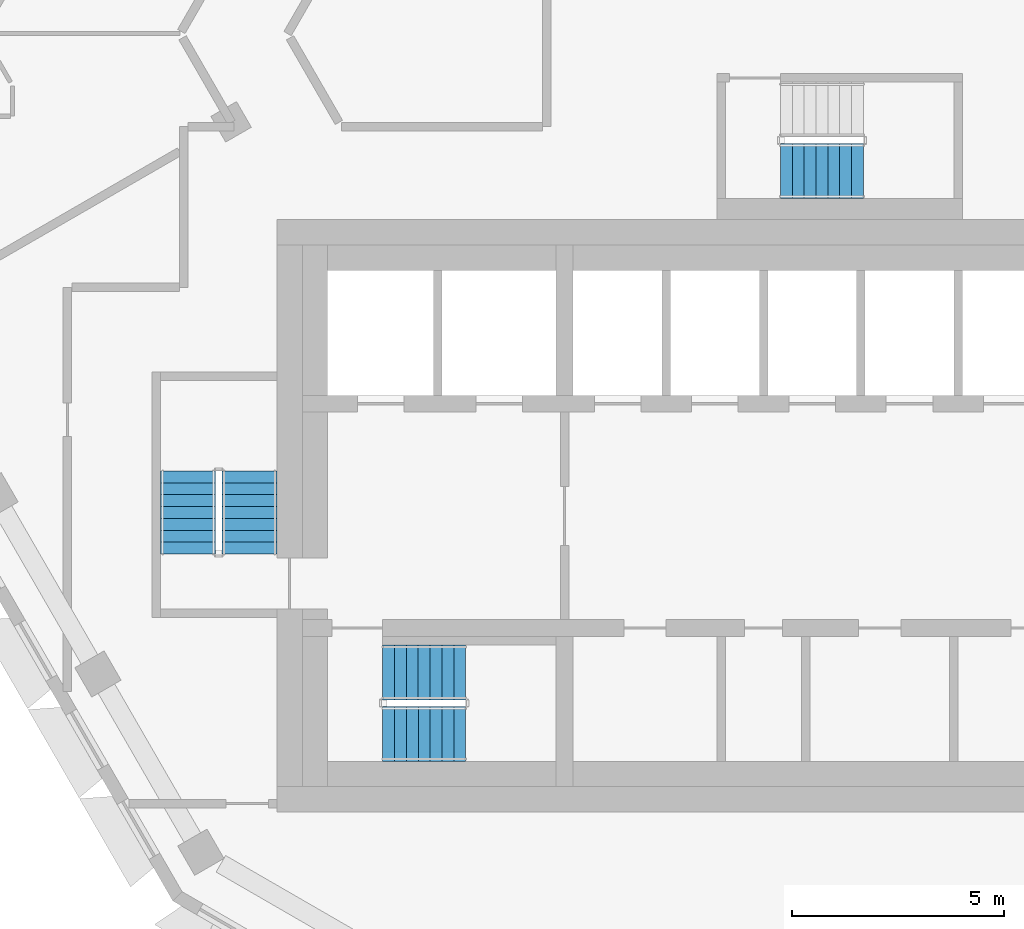
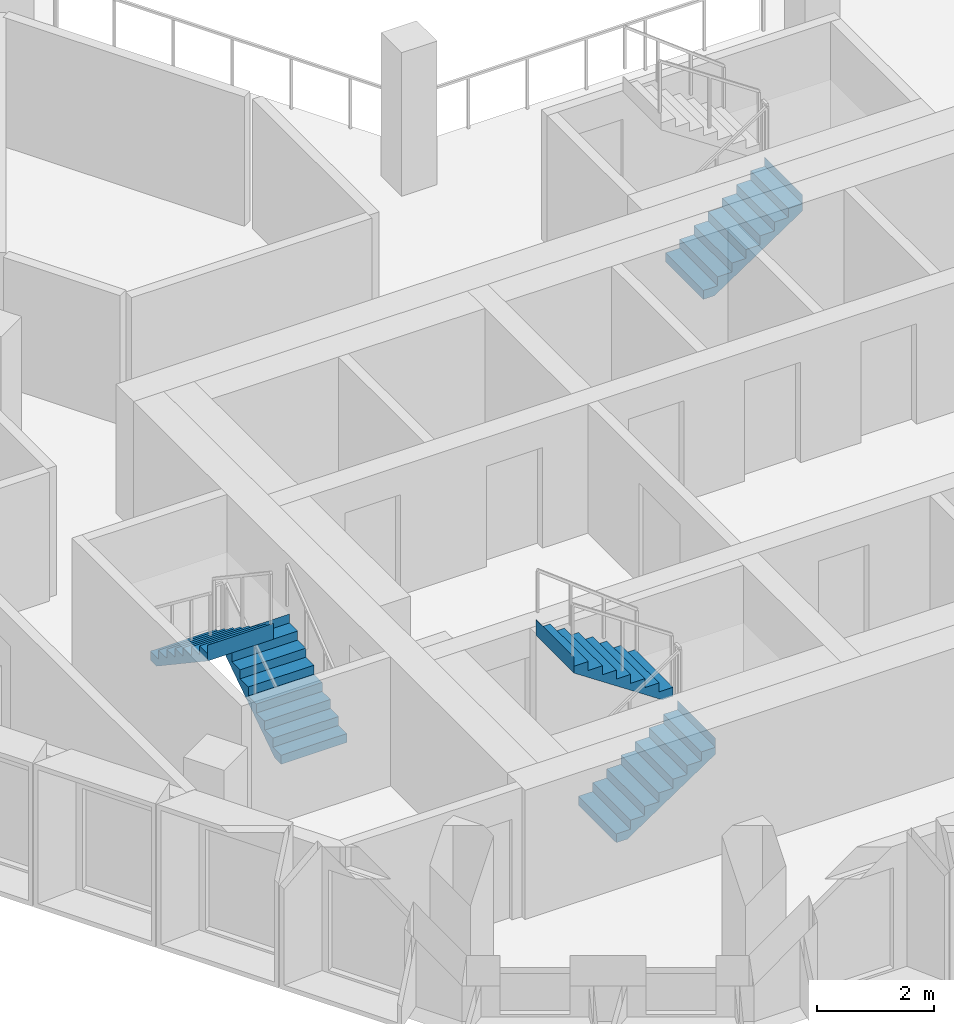
# One storey, part 12 of 18: 5 stair flights, 3 elements without a shape of their own.
"""IFC4 building model written with IfcOpenShell, lengths in metres."""

from ifc_helpers import new_model, si_unit, direction, frame, origin, place, context, subcontext, project, spatial, triangles, material, type_object, element, aggregate, save


model = new_model("IFC4")

# Units and contexts
model_context = context("Model", 3, precision=1e-05, world=origin(), true_north=direction((0.0, 1.0)))
body_context = subcontext(model_context, "Body", "Model", "MODEL_VIEW")
ifc_project = project(units=[si_unit("LENGTHUNIT", "METRE"), si_unit("AREAUNIT", "SQUARE_METRE"), si_unit("VOLUMEUNIT", "CUBIC_METRE"), si_unit("PLANEANGLEUNIT", "RADIAN"), si_unit("MASSUNIT", "GRAM", prefix="KILO")], contexts=[model_context])

# Site, building, storey
site_placement = place(None, origin())
site = spatial("IfcSite", under=ifc_project, at=site_placement, CompositionType="ELEMENT")
building_placement = place(site_placement, origin())
building = spatial("IfcBuilding", under=site, at=building_placement, Name="Beryl Residences", CompositionType="ELEMENT")
storey_placement = place(building_placement, frame((0.0, 0.0, 190.199951171875)))
storey = spatial("IfcBuildingStorey", under=building, at=storey_placement, Name="L58", CompositionType="ELEMENT", Elevation=190.199951171875)

# Stair, stair flights
ifc_material_1 = material(Name="Concrete C40/50", Category="concrete")
stair_type = type_object("IfcStairType", Name="ST1 protected exit stair, half-turn, 1300 mm flights", PredefinedType="HALF_TURN_STAIR", material=ifc_material_1)
stair_1_placement = place(storey_placement, origin())
stair_1 = element("IfcStair", 1, at=stair_1_placement, inside=storey, type_object=stair_type, Name="L58 PROTECTED EXIT STAIR ST-1", PredefinedType="HALF_TURN_STAIR")
ifc_material_2 = material(Name="Concrete C40/50", Category="concrete")
stair_flight_type = type_object("IfcStairFlightType", Name="SF1 stair flight 1300 mm", PredefinedType="STRAIGHT", material=ifc_material_2)
stair_flight_1_placement = place(storey_placement, frame((-10.800048828125, -17.14990234375, 0.0), z_axis=(0.0, 0.0, 1.0), x_axis=(1.0, 0.0, 0.0)))
stair_flight_1 = element("IfcStairFlight", 2, at=stair_flight_1_placement, type_object=stair_flight_type, Name="ST-1 flight 1", NumberOfRisers=8, NumberOfTreads=7, PredefinedType="STRAIGHT", RiserHeight=0.1875, TreadLength=0.28, context=body_context, shape_type="Tessellation", body=[
    triangles([(0.0, -0.64990234375, 0.0), (0.0, -0.324951171875, 0.0), (0.0, 0.0, 0.0), (0.0, 0.324951171875, 0.0), (0.0, 0.64990234375, 0.0), (0.0, -0.64990234375, 0.1875), (0.0, -0.324951171875, 0.1875), (0.0, 0.0, 0.1875), (0.0, 0.324951171875, 0.1875), (0.0, 0.64990234375, 0.1875), (0.280029296875, -0.64990234375, 0.1875), (0.280029296875, -0.324951171875, 0.1875), (0.280029296875, 0.0, 0.1875), (0.280029296875, 0.324951171875, 0.1875), (0.280029296875, 0.64990234375, 0.1875), (0.280029296875, -0.64990234375, 0.375), (0.280029296875, -0.324951171875, 0.375), (0.280029296875, 0.0, 0.375), (0.280029296875, 0.324951171875, 0.375), (0.280029296875, 0.64990234375, 0.375), (0.56005859375, -0.64990234375, 0.375), (0.56005859375, -0.324951171875, 0.375), (0.56005859375, 0.0, 0.375), (0.56005859375, 0.324951171875, 0.375), (0.56005859375, 0.64990234375, 0.375), (0.56005859375, -0.64990234375, 0.5625), (0.56005859375, -0.324951171875, 0.5625), (0.56005859375, 0.0, 0.5625), (0.56005859375, 0.324951171875, 0.5625), (0.56005859375, 0.64990234375, 0.5625), (0.840087890625, -0.64990234375, 0.5625), (0.840087890625, -0.324951171875, 0.5625), (0.840087890625, 0.0, 0.5625), (0.840087890625, 0.324951171875, 0.5625), (0.840087890625, 0.64990234375, 0.5625), (0.840087890625, -0.64990234375, 0.75), (0.840087890625, -0.324951171875, 0.75), (0.840087890625, 0.0, 0.75), (0.840087890625, 0.324951171875, 0.75), (0.840087890625, 0.64990234375, 0.75), (1.1201171875, -0.64990234375, 0.75), (1.1201171875, -0.324951171875, 0.75), (1.1201171875, 0.0, 0.75), (1.1201171875, 0.324951171875, 0.75), (1.1201171875, 0.64990234375, 0.75), (1.1201171875, -0.64990234375, 0.9375), (1.1201171875, -0.324951171875, 0.9375), (1.1201171875, 0.0, 0.9375), (1.1201171875, 0.324951171875, 0.9375), (1.1201171875, 0.64990234375, 0.9375), (1.39990234375, -0.64990234375, 0.9375), (1.39990234375, -0.324951171875, 0.9375), (1.39990234375, 0.0, 0.9375), (1.39990234375, 0.324951171875, 0.9375), (1.39990234375, 0.64990234375, 0.9375), (1.39990234375, -0.64990234375, 1.125), (1.39990234375, -0.324951171875, 1.125), (1.39990234375, 0.0, 1.125), (1.39990234375, 0.324951171875, 1.125), (1.39990234375, 0.64990234375, 1.125), (1.679931640625, -0.64990234375, 1.125), (1.679931640625, -0.324951171875, 1.125), (1.679931640625, 0.0, 1.125), (1.679931640625, 0.324951171875, 1.125), (1.679931640625, 0.64990234375, 1.125), (1.679931640625, -0.64990234375, 1.3125), (1.679931640625, -0.324951171875, 1.3125), (1.679931640625, 0.0, 1.3125), (1.679931640625, 0.324951171875, 1.3125), (1.679931640625, 0.64990234375, 1.3125), (1.9599609375, -0.64990234375, 1.3125), (1.9599609375, -0.324951171875, 1.3125), (1.9599609375, 0.0, 1.3125), (1.9599609375, 0.324951171875, 1.3125), (1.9599609375, 0.64990234375, 1.3125), (1.9599609375, -0.64990234375, 1.5), (1.9599609375, -0.324951171875, 1.5), (1.9599609375, 0.0, 1.5), (1.9599609375, 0.324951171875, 1.5), (1.9599609375, 0.64990234375, 1.5), (1.9609375, -0.64990234375, 1.5), (1.9609375, -0.324951171875, 1.5), (1.9609375, 0.0, 1.5), (1.9609375, 0.324951171875, 1.5), (1.9609375, 0.64990234375, 1.5), (1.9609375, -0.64990234375, 1.16796875), (1.9609375, -0.324951171875, 1.16796875), (1.9609375, 0.0, 1.16796875), (1.9609375, 0.324951171875, 1.16796875), (1.9609375, 0.64990234375, 1.16796875), (0.216796875, -0.64990234375, 0.0), (0.216796875, -0.324951171875, 0.0), (0.216796875, 0.0, 0.0), (0.216796875, 0.324951171875, 0.0), (0.216796875, 0.64990234375, 0.0)], [[1, 6, 7], [1, 7, 2], [2, 7, 8], [2, 8, 3], [3, 8, 9], [3, 9, 4], [4, 9, 10], [4, 10, 5], [6, 11, 12], [6, 12, 7], [7, 12, 13], [7, 13, 8], [8, 13, 14], [8, 14, 9], [9, 14, 15], [9, 15, 10], [11, 16, 17], [11, 17, 12], [12, 17, 18], [12, 18, 13], [13, 18, 19], [13, 19, 14], [14, 19, 20], [14, 20, 15], [16, 21, 22], [16, 22, 17], [17, 22, 23], [17, 23, 18], [18, 23, 24], [18, 24, 19], [19, 24, 25], [19, 25, 20], [21, 26, 27], [21, 27, 22], [22, 27, 28], [22, 28, 23], [23, 28, 29], [23, 29, 24], [24, 29, 30], [24, 30, 25], [26, 31, 32], [26, 32, 27], [27, 32, 33], [27, 33, 28], [28, 33, 34], [28, 34, 29], [29, 34, 35], [29, 35, 30], [31, 36, 37], [31, 37, 32], [32, 37, 38], [32, 38, 33], [33, 38, 39], [33, 39, 34], [34, 39, 40], [34, 40, 35], [36, 41, 42], [36, 42, 37], [37, 42, 43], [37, 43, 38], [38, 43, 44], [38, 44, 39], [39, 44, 45], [39, 45, 40], [41, 46, 47], [41, 47, 42], [42, 47, 48], [42, 48, 43], [43, 48, 49], [43, 49, 44], [44, 49, 50], [44, 50, 45], [46, 51, 52], [46, 52, 47], [47, 52, 53], [47, 53, 48], [48, 53, 54], [48, 54, 49], [49, 54, 55], [49, 55, 50], [51, 56, 57], [51, 57, 52], [52, 57, 58], [52, 58, 53], [53, 58, 59], [53, 59, 54], [54, 59, 60], [54, 60, 55], [56, 61, 62], [56, 62, 57], [57, 62, 63], [57, 63, 58], [58, 63, 64], [58, 64, 59], [59, 64, 65], [59, 65, 60], [61, 66, 67], [61, 67, 62], [62, 67, 68], [62, 68, 63], [63, 68, 69], [63, 69, 64], [64, 69, 70], [64, 70, 65], [66, 71, 72], [66, 72, 67], [67, 72, 73], [67, 73, 68], [68, 73, 74], [68, 74, 69], [69, 74, 75], [69, 75, 70], [71, 76, 77], [71, 77, 72], [72, 77, 78], [72, 78, 73], [73, 78, 79], [73, 79, 74], [74, 79, 80], [74, 80, 75], [76, 81, 82], [76, 82, 77], [77, 82, 83], [77, 83, 78], [78, 83, 84], [78, 84, 79], [79, 84, 85], [79, 85, 80], [81, 86, 87], [81, 87, 82], [82, 87, 88], [82, 88, 83], [83, 88, 89], [83, 89, 84], [84, 89, 90], [84, 90, 85], [86, 91, 92], [86, 92, 87], [87, 92, 93], [87, 93, 88], [88, 93, 94], [88, 94, 89], [89, 94, 95], [89, 95, 90], [91, 1, 2], [91, 2, 92], [92, 2, 3], [92, 3, 93], [93, 3, 4], [93, 4, 94], [94, 4, 5], [94, 5, 95], [1, 91, 86], [5, 90, 95], [86, 81, 76], [90, 80, 85], [86, 76, 71], [90, 75, 80], [86, 71, 66], [90, 70, 75], [86, 66, 61], [90, 65, 70], [61, 56, 51], [65, 55, 60], [86, 61, 51], [90, 55, 65], [51, 46, 41], [55, 45, 50], [86, 51, 41], [90, 45, 55], [41, 36, 31], [45, 35, 40], [86, 41, 31], [90, 35, 45], [31, 26, 21], [35, 25, 30], [86, 31, 21], [90, 25, 35], [21, 16, 11], [25, 15, 20], [86, 21, 11], [90, 15, 25], [1, 86, 11], [5, 15, 90], [11, 6, 1], [15, 5, 10]], closed=True),
])
stair_flight_2_placement = place(storey_placement, frame((-8.840087890625, -15.699951171875, 1.5), z_axis=(0.0, 0.0, 1.0), x_axis=(-1.0, 0.0, 0.0)))
stair_flight_2 = element("IfcStairFlight", 3, at=stair_flight_2_placement, type_object=stair_flight_type, Name="ST-1 flight 2", NumberOfRisers=8, NumberOfTreads=7, PredefinedType="STRAIGHT", RiserHeight=0.1875, TreadLength=0.28, context=body_context, shape_type="Tessellation", body=[
    triangles([(0.0, -0.64990234375, 0.0), (0.0, -0.324951171875, 0.0), (0.0, 0.0, 0.0), (0.0, 0.324951171875, 0.0), (0.0, 0.64990234375, 0.0), (0.0, -0.64990234375, 0.1875), (0.0, -0.324951171875, 0.1875), (0.0, 0.0, 0.1875), (0.0, 0.324951171875, 0.1875), (0.0, 0.64990234375, 0.1875), (0.280029296875, -0.64990234375, 0.1875), (0.280029296875, -0.324951171875, 0.1875), (0.280029296875, 0.0, 0.1875), (0.280029296875, 0.324951171875, 0.1875), (0.280029296875, 0.64990234375, 0.1875), (0.280029296875, -0.64990234375, 0.375), (0.280029296875, -0.324951171875, 0.375), (0.280029296875, 0.0, 0.375), (0.280029296875, 0.324951171875, 0.375), (0.280029296875, 0.64990234375, 0.375), (0.56005859375, -0.64990234375, 0.375), (0.56005859375, -0.324951171875, 0.375), (0.56005859375, 0.0, 0.375), (0.56005859375, 0.324951171875, 0.375), (0.56005859375, 0.64990234375, 0.375), (0.56005859375, -0.64990234375, 0.5625), (0.56005859375, -0.324951171875, 0.5625), (0.56005859375, 0.0, 0.5625), (0.56005859375, 0.324951171875, 0.5625), (0.56005859375, 0.64990234375, 0.5625), (0.840087890625, -0.64990234375, 0.5625), (0.840087890625, -0.324951171875, 0.5625), (0.840087890625, 0.0, 0.5625), (0.840087890625, 0.324951171875, 0.5625), (0.840087890625, 0.64990234375, 0.5625), (0.840087890625, -0.64990234375, 0.75), (0.840087890625, -0.324951171875, 0.75), (0.840087890625, 0.0, 0.75), (0.840087890625, 0.324951171875, 0.75), (0.840087890625, 0.64990234375, 0.75), (1.1201171875, -0.64990234375, 0.75), (1.1201171875, -0.324951171875, 0.75), (1.1201171875, 0.0, 0.75), (1.1201171875, 0.324951171875, 0.75), (1.1201171875, 0.64990234375, 0.75), (1.1201171875, -0.64990234375, 0.9375), (1.1201171875, -0.324951171875, 0.9375), (1.1201171875, 0.0, 0.9375), (1.1201171875, 0.324951171875, 0.9375), (1.1201171875, 0.64990234375, 0.9375), (1.39990234375, -0.64990234375, 0.9375), (1.39990234375, -0.324951171875, 0.9375), (1.39990234375, 0.0, 0.9375), (1.39990234375, 0.324951171875, 0.9375), (1.39990234375, 0.64990234375, 0.9375), (1.39990234375, -0.64990234375, 1.125), (1.39990234375, -0.324951171875, 1.125), (1.39990234375, 0.0, 1.125), (1.39990234375, 0.324951171875, 1.125), (1.39990234375, 0.64990234375, 1.125), (1.679931640625, -0.64990234375, 1.125), (1.679931640625, -0.324951171875, 1.125), (1.679931640625, 0.0, 1.125), (1.679931640625, 0.324951171875, 1.125), (1.679931640625, 0.64990234375, 1.125), (1.679931640625, -0.64990234375, 1.3125), (1.679931640625, -0.324951171875, 1.3125), (1.679931640625, 0.0, 1.3125), (1.679931640625, 0.324951171875, 1.3125), (1.679931640625, 0.64990234375, 1.3125), (1.9599609375, -0.64990234375, 1.3125), (1.9599609375, -0.324951171875, 1.3125), (1.9599609375, 0.0, 1.3125), (1.9599609375, 0.324951171875, 1.3125), (1.9599609375, 0.64990234375, 1.3125), (1.9599609375, -0.64990234375, 1.5), (1.9599609375, -0.324951171875, 1.5), (1.9599609375, 0.0, 1.5), (1.9599609375, 0.324951171875, 1.5), (1.9599609375, 0.64990234375, 1.5), (1.9609375, -0.64990234375, 1.5), (1.9609375, -0.324951171875, 1.5), (1.9609375, 0.0, 1.5), (1.9609375, 0.324951171875, 1.5), (1.9609375, 0.64990234375, 1.5), (1.9609375, -0.64990234375, 1.16796875), (1.9609375, -0.324951171875, 1.16796875), (1.9609375, 0.0, 1.16796875), (1.9609375, 0.324951171875, 1.16796875), (1.9609375, 0.64990234375, 1.16796875), (0.216796875, -0.64990234375, 0.0), (0.216796875, -0.324951171875, 0.0), (0.216796875, 0.0, 0.0), (0.216796875, 0.324951171875, 0.0), (0.216796875, 0.64990234375, 0.0)], [[1, 6, 7], [1, 7, 2], [2, 7, 8], [2, 8, 3], [3, 8, 9], [3, 9, 4], [4, 9, 10], [4, 10, 5], [6, 11, 12], [6, 12, 7], [7, 12, 13], [7, 13, 8], [8, 13, 14], [8, 14, 9], [9, 14, 15], [9, 15, 10], [11, 16, 17], [11, 17, 12], [12, 17, 18], [12, 18, 13], [13, 18, 19], [13, 19, 14], [14, 19, 20], [14, 20, 15], [16, 21, 22], [16, 22, 17], [17, 22, 23], [17, 23, 18], [18, 23, 24], [18, 24, 19], [19, 24, 25], [19, 25, 20], [21, 26, 27], [21, 27, 22], [22, 27, 28], [22, 28, 23], [23, 28, 29], [23, 29, 24], [24, 29, 30], [24, 30, 25], [26, 31, 32], [26, 32, 27], [27, 32, 33], [27, 33, 28], [28, 33, 34], [28, 34, 29], [29, 34, 35], [29, 35, 30], [31, 36, 37], [31, 37, 32], [32, 37, 38], [32, 38, 33], [33, 38, 39], [33, 39, 34], [34, 39, 40], [34, 40, 35], [36, 41, 42], [36, 42, 37], [37, 42, 43], [37, 43, 38], [38, 43, 44], [38, 44, 39], [39, 44, 45], [39, 45, 40], [41, 46, 47], [41, 47, 42], [42, 47, 48], [42, 48, 43], [43, 48, 49], [43, 49, 44], [44, 49, 50], [44, 50, 45], [46, 51, 52], [46, 52, 47], [47, 52, 53], [47, 53, 48], [48, 53, 54], [48, 54, 49], [49, 54, 55], [49, 55, 50], [51, 56, 57], [51, 57, 52], [52, 57, 58], [52, 58, 53], [53, 58, 59], [53, 59, 54], [54, 59, 60], [54, 60, 55], [56, 61, 62], [56, 62, 57], [57, 62, 63], [57, 63, 58], [58, 63, 64], [58, 64, 59], [59, 64, 65], [59, 65, 60], [61, 66, 67], [61, 67, 62], [62, 67, 68], [62, 68, 63], [63, 68, 69], [63, 69, 64], [64, 69, 70], [64, 70, 65], [66, 71, 72], [66, 72, 67], [67, 72, 73], [67, 73, 68], [68, 73, 74], [68, 74, 69], [69, 74, 75], [69, 75, 70], [71, 76, 77], [71, 77, 72], [72, 77, 78], [72, 78, 73], [73, 78, 79], [73, 79, 74], [74, 79, 80], [74, 80, 75], [76, 81, 82], [76, 82, 77], [77, 82, 83], [77, 83, 78], [78, 83, 84], [78, 84, 79], [79, 84, 85], [79, 85, 80], [81, 86, 87], [81, 87, 82], [82, 87, 88], [82, 88, 83], [83, 88, 89], [83, 89, 84], [84, 89, 90], [84, 90, 85], [86, 91, 92], [86, 92, 87], [87, 92, 93], [87, 93, 88], [88, 93, 94], [88, 94, 89], [89, 94, 95], [89, 95, 90], [91, 1, 2], [91, 2, 92], [92, 2, 3], [92, 3, 93], [93, 3, 4], [93, 4, 94], [94, 4, 5], [94, 5, 95], [1, 91, 86], [5, 90, 95], [86, 81, 76], [90, 80, 85], [86, 76, 71], [90, 75, 80], [86, 71, 66], [90, 70, 75], [86, 66, 61], [90, 65, 70], [61, 56, 51], [65, 55, 60], [86, 61, 51], [90, 55, 65], [51, 46, 41], [55, 45, 50], [86, 51, 41], [90, 45, 55], [41, 36, 31], [45, 35, 40], [86, 41, 31], [90, 35, 45], [31, 26, 21], [35, 25, 30], [86, 31, 21], [90, 25, 35], [21, 16, 11], [25, 15, 20], [86, 21, 11], [90, 15, 25], [1, 86, 11], [5, 15, 90], [11, 6, 1], [15, 5, 10]], closed=True),
])
aggregate(stair_1, [stair_flight_1, stair_flight_2])

stair_2_placement = place(storey_placement, origin())
stair_2 = element("IfcStair", 4, at=stair_2_placement, inside=storey, type_object=stair_type, Name="L58 PROTECTED EXIT STAIR ST-2", PredefinedType="HALF_TURN_STAIR")
stair_flight_3_placement = place(storey_placement, frame((-13.949951171875, -12.89990234375, 0.0), z_axis=(0.0, 0.0, 1.0), x_axis=(0.0, 1.0, 0.0)))
stair_flight_3 = element("IfcStairFlight", 5, at=stair_flight_3_placement, type_object=stair_flight_type, Name="ST-2 flight 1", NumberOfRisers=8, NumberOfTreads=7, PredefinedType="STRAIGHT", RiserHeight=0.1875, TreadLength=0.28, context=body_context, shape_type="Tessellation", body=[
    triangles([(0.0, -0.64990234375, 0.0), (0.0, -0.324951171875, 0.0), (0.0, 0.0, 0.0), (0.0, 0.324951171875, 0.0), (0.0, 0.64990234375, 0.0), (0.0, -0.64990234375, 0.1875), (0.0, -0.324951171875, 0.1875), (0.0, 0.0, 0.1875), (0.0, 0.324951171875, 0.1875), (0.0, 0.64990234375, 0.1875), (0.280029296875, -0.64990234375, 0.1875), (0.280029296875, -0.324951171875, 0.1875), (0.280029296875, 0.0, 0.1875), (0.280029296875, 0.324951171875, 0.1875), (0.280029296875, 0.64990234375, 0.1875), (0.280029296875, -0.64990234375, 0.375), (0.280029296875, -0.324951171875, 0.375), (0.280029296875, 0.0, 0.375), (0.280029296875, 0.324951171875, 0.375), (0.280029296875, 0.64990234375, 0.375), (0.56005859375, -0.64990234375, 0.375), (0.56005859375, -0.324951171875, 0.375), (0.56005859375, 0.0, 0.375), (0.56005859375, 0.324951171875, 0.375), (0.56005859375, 0.64990234375, 0.375), (0.56005859375, -0.64990234375, 0.5625), (0.56005859375, -0.324951171875, 0.5625), (0.56005859375, 0.0, 0.5625), (0.56005859375, 0.324951171875, 0.5625), (0.56005859375, 0.64990234375, 0.5625), (0.840087890625, -0.64990234375, 0.5625), (0.840087890625, -0.324951171875, 0.5625), (0.840087890625, 0.0, 0.5625), (0.840087890625, 0.324951171875, 0.5625), (0.840087890625, 0.64990234375, 0.5625), (0.840087890625, -0.64990234375, 0.75), (0.840087890625, -0.324951171875, 0.75), (0.840087890625, 0.0, 0.75), (0.840087890625, 0.324951171875, 0.75), (0.840087890625, 0.64990234375, 0.75), (1.1201171875, -0.64990234375, 0.75), (1.1201171875, -0.324951171875, 0.75), (1.1201171875, 0.0, 0.75), (1.1201171875, 0.324951171875, 0.75), (1.1201171875, 0.64990234375, 0.75), (1.1201171875, -0.64990234375, 0.9375), (1.1201171875, -0.324951171875, 0.9375), (1.1201171875, 0.0, 0.9375), (1.1201171875, 0.324951171875, 0.9375), (1.1201171875, 0.64990234375, 0.9375), (1.39990234375, -0.64990234375, 0.9375), (1.39990234375, -0.324951171875, 0.9375), (1.39990234375, 0.0, 0.9375), (1.39990234375, 0.324951171875, 0.9375), (1.39990234375, 0.64990234375, 0.9375), (1.39990234375, -0.64990234375, 1.125), (1.39990234375, -0.324951171875, 1.125), (1.39990234375, 0.0, 1.125), (1.39990234375, 0.324951171875, 1.125), (1.39990234375, 0.64990234375, 1.125), (1.679931640625, -0.64990234375, 1.125), (1.679931640625, -0.324951171875, 1.125), (1.679931640625, 0.0, 1.125), (1.679931640625, 0.324951171875, 1.125), (1.679931640625, 0.64990234375, 1.125), (1.679931640625, -0.64990234375, 1.3125), (1.679931640625, -0.324951171875, 1.3125), (1.679931640625, 0.0, 1.3125), (1.679931640625, 0.324951171875, 1.3125), (1.679931640625, 0.64990234375, 1.3125), (1.9599609375, -0.64990234375, 1.3125), (1.9599609375, -0.324951171875, 1.3125), (1.9599609375, 0.0, 1.3125), (1.9599609375, 0.324951171875, 1.3125), (1.9599609375, 0.64990234375, 1.3125), (1.9599609375, -0.64990234375, 1.5), (1.9599609375, -0.324951171875, 1.5), (1.9599609375, 0.0, 1.5), (1.9599609375, 0.324951171875, 1.5), (1.9599609375, 0.64990234375, 1.5), (1.9609375, -0.64990234375, 1.5), (1.9609375, -0.324951171875, 1.5), (1.9609375, 0.0, 1.5), (1.9609375, 0.324951171875, 1.5), (1.9609375, 0.64990234375, 1.5), (1.9609375, -0.64990234375, 1.16796875), (1.9609375, -0.324951171875, 1.16796875), (1.9609375, 0.0, 1.16796875), (1.9609375, 0.324951171875, 1.16796875), (1.9609375, 0.64990234375, 1.16796875), (0.216796875, -0.64990234375, 0.0), (0.216796875, -0.324951171875, 0.0), (0.216796875, 0.0, 0.0), (0.216796875, 0.324951171875, 0.0), (0.216796875, 0.64990234375, 0.0)], [[1, 6, 7], [1, 7, 2], [2, 7, 8], [2, 8, 3], [3, 8, 9], [3, 9, 4], [4, 9, 10], [4, 10, 5], [6, 11, 12], [6, 12, 7], [7, 12, 13], [7, 13, 8], [8, 13, 14], [8, 14, 9], [9, 14, 15], [9, 15, 10], [11, 16, 17], [11, 17, 12], [12, 17, 18], [12, 18, 13], [13, 18, 19], [13, 19, 14], [14, 19, 20], [14, 20, 15], [16, 21, 22], [16, 22, 17], [17, 22, 23], [17, 23, 18], [18, 23, 24], [18, 24, 19], [19, 24, 25], [19, 25, 20], [21, 26, 27], [21, 27, 22], [22, 27, 28], [22, 28, 23], [23, 28, 29], [23, 29, 24], [24, 29, 30], [24, 30, 25], [26, 31, 32], [26, 32, 27], [27, 32, 33], [27, 33, 28], [28, 33, 34], [28, 34, 29], [29, 34, 35], [29, 35, 30], [31, 36, 37], [31, 37, 32], [32, 37, 38], [32, 38, 33], [33, 38, 39], [33, 39, 34], [34, 39, 40], [34, 40, 35], [36, 41, 42], [36, 42, 37], [37, 42, 43], [37, 43, 38], [38, 43, 44], [38, 44, 39], [39, 44, 45], [39, 45, 40], [41, 46, 47], [41, 47, 42], [42, 47, 48], [42, 48, 43], [43, 48, 49], [43, 49, 44], [44, 49, 50], [44, 50, 45], [46, 51, 52], [46, 52, 47], [47, 52, 53], [47, 53, 48], [48, 53, 54], [48, 54, 49], [49, 54, 55], [49, 55, 50], [51, 56, 57], [51, 57, 52], [52, 57, 58], [52, 58, 53], [53, 58, 59], [53, 59, 54], [54, 59, 60], [54, 60, 55], [56, 61, 62], [56, 62, 57], [57, 62, 63], [57, 63, 58], [58, 63, 64], [58, 64, 59], [59, 64, 65], [59, 65, 60], [61, 66, 67], [61, 67, 62], [62, 67, 68], [62, 68, 63], [63, 68, 69], [63, 69, 64], [64, 69, 70], [64, 70, 65], [66, 71, 72], [66, 72, 67], [67, 72, 73], [67, 73, 68], [68, 73, 74], [68, 74, 69], [69, 74, 75], [69, 75, 70], [71, 76, 77], [71, 77, 72], [72, 77, 78], [72, 78, 73], [73, 78, 79], [73, 79, 74], [74, 79, 80], [74, 80, 75], [76, 81, 82], [76, 82, 77], [77, 82, 83], [77, 83, 78], [78, 83, 84], [78, 84, 79], [79, 84, 85], [79, 85, 80], [81, 86, 87], [81, 87, 82], [82, 87, 88], [82, 88, 83], [83, 88, 89], [83, 89, 84], [84, 89, 90], [84, 90, 85], [86, 91, 92], [86, 92, 87], [87, 92, 93], [87, 93, 88], [88, 93, 94], [88, 94, 89], [89, 94, 95], [89, 95, 90], [91, 1, 2], [91, 2, 92], [92, 2, 3], [92, 3, 93], [93, 3, 4], [93, 4, 94], [94, 4, 5], [94, 5, 95], [1, 91, 86], [5, 90, 95], [86, 81, 76], [90, 80, 85], [86, 76, 71], [90, 75, 80], [86, 71, 66], [90, 70, 75], [86, 66, 61], [90, 65, 70], [61, 56, 51], [65, 55, 60], [86, 61, 51], [90, 55, 65], [51, 46, 41], [55, 45, 50], [86, 51, 41], [90, 45, 55], [41, 36, 31], [45, 35, 40], [86, 41, 31], [90, 35, 45], [31, 26, 21], [35, 25, 30], [86, 31, 21], [90, 25, 35], [21, 16, 11], [25, 15, 20], [86, 21, 11], [90, 15, 25], [1, 86, 11], [5, 15, 90], [11, 6, 1], [15, 5, 10]], closed=True),
])
stair_flight_4_placement = place(storey_placement, frame((-15.39990234375, -10.93994140625, 1.5), z_axis=(0.0, 0.0, 1.0), x_axis=(0.0, -1.0, 0.0)))
stair_flight_4 = element("IfcStairFlight", 6, at=stair_flight_4_placement, type_object=stair_flight_type, Name="ST-2 flight 2", NumberOfRisers=8, NumberOfTreads=7, PredefinedType="STRAIGHT", RiserHeight=0.1875, TreadLength=0.28, context=body_context, shape_type="Tessellation", body=[
    triangles([(0.0, -0.64990234375, 0.0), (0.0, -0.324951171875, 0.0), (0.0, 0.0, 0.0), (0.0, 0.324951171875, 0.0), (0.0, 0.64990234375, 0.0), (0.0, -0.64990234375, 0.1875), (0.0, -0.324951171875, 0.1875), (0.0, 0.0, 0.1875), (0.0, 0.324951171875, 0.1875), (0.0, 0.64990234375, 0.1875), (0.280029296875, -0.64990234375, 0.1875), (0.280029296875, -0.324951171875, 0.1875), (0.280029296875, 0.0, 0.1875), (0.280029296875, 0.324951171875, 0.1875), (0.280029296875, 0.64990234375, 0.1875), (0.280029296875, -0.64990234375, 0.375), (0.280029296875, -0.324951171875, 0.375), (0.280029296875, 0.0, 0.375), (0.280029296875, 0.324951171875, 0.375), (0.280029296875, 0.64990234375, 0.375), (0.56005859375, -0.64990234375, 0.375), (0.56005859375, -0.324951171875, 0.375), (0.56005859375, 0.0, 0.375), (0.56005859375, 0.324951171875, 0.375), (0.56005859375, 0.64990234375, 0.375), (0.56005859375, -0.64990234375, 0.5625), (0.56005859375, -0.324951171875, 0.5625), (0.56005859375, 0.0, 0.5625), (0.56005859375, 0.324951171875, 0.5625), (0.56005859375, 0.64990234375, 0.5625), (0.840087890625, -0.64990234375, 0.5625), (0.840087890625, -0.324951171875, 0.5625), (0.840087890625, 0.0, 0.5625), (0.840087890625, 0.324951171875, 0.5625), (0.840087890625, 0.64990234375, 0.5625), (0.840087890625, -0.64990234375, 0.75), (0.840087890625, -0.324951171875, 0.75), (0.840087890625, 0.0, 0.75), (0.840087890625, 0.324951171875, 0.75), (0.840087890625, 0.64990234375, 0.75), (1.1201171875, -0.64990234375, 0.75), (1.1201171875, -0.324951171875, 0.75), (1.1201171875, 0.0, 0.75), (1.1201171875, 0.324951171875, 0.75), (1.1201171875, 0.64990234375, 0.75), (1.1201171875, -0.64990234375, 0.9375), (1.1201171875, -0.324951171875, 0.9375), (1.1201171875, 0.0, 0.9375), (1.1201171875, 0.324951171875, 0.9375), (1.1201171875, 0.64990234375, 0.9375), (1.39990234375, -0.64990234375, 0.9375), (1.39990234375, -0.324951171875, 0.9375), (1.39990234375, 0.0, 0.9375), (1.39990234375, 0.324951171875, 0.9375), (1.39990234375, 0.64990234375, 0.9375), (1.39990234375, -0.64990234375, 1.125), (1.39990234375, -0.324951171875, 1.125), (1.39990234375, 0.0, 1.125), (1.39990234375, 0.324951171875, 1.125), (1.39990234375, 0.64990234375, 1.125), (1.679931640625, -0.64990234375, 1.125), (1.679931640625, -0.324951171875, 1.125), (1.679931640625, 0.0, 1.125), (1.679931640625, 0.324951171875, 1.125), (1.679931640625, 0.64990234375, 1.125), (1.679931640625, -0.64990234375, 1.3125), (1.679931640625, -0.324951171875, 1.3125), (1.679931640625, 0.0, 1.3125), (1.679931640625, 0.324951171875, 1.3125), (1.679931640625, 0.64990234375, 1.3125), (1.9599609375, -0.64990234375, 1.3125), (1.9599609375, -0.324951171875, 1.3125), (1.9599609375, 0.0, 1.3125), (1.9599609375, 0.324951171875, 1.3125), (1.9599609375, 0.64990234375, 1.3125), (1.9599609375, -0.64990234375, 1.5), (1.9599609375, -0.324951171875, 1.5), (1.9599609375, 0.0, 1.5), (1.9599609375, 0.324951171875, 1.5), (1.9599609375, 0.64990234375, 1.5), (1.9609375, -0.64990234375, 1.5), (1.9609375, -0.324951171875, 1.5), (1.9609375, 0.0, 1.5), (1.9609375, 0.324951171875, 1.5), (1.9609375, 0.64990234375, 1.5), (1.9609375, -0.64990234375, 1.16796875), (1.9609375, -0.324951171875, 1.16796875), (1.9609375, 0.0, 1.16796875), (1.9609375, 0.324951171875, 1.16796875), (1.9609375, 0.64990234375, 1.16796875), (0.216796875, -0.64990234375, 0.0), (0.216796875, -0.324951171875, 0.0), (0.216796875, 0.0, 0.0), (0.216796875, 0.324951171875, 0.0), (0.216796875, 0.64990234375, 0.0)], [[1, 6, 7], [1, 7, 2], [2, 7, 8], [2, 8, 3], [3, 8, 9], [3, 9, 4], [4, 9, 10], [4, 10, 5], [6, 11, 12], [6, 12, 7], [7, 12, 13], [7, 13, 8], [8, 13, 14], [8, 14, 9], [9, 14, 15], [9, 15, 10], [11, 16, 17], [11, 17, 12], [12, 17, 18], [12, 18, 13], [13, 18, 19], [13, 19, 14], [14, 19, 20], [14, 20, 15], [16, 21, 22], [16, 22, 17], [17, 22, 23], [17, 23, 18], [18, 23, 24], [18, 24, 19], [19, 24, 25], [19, 25, 20], [21, 26, 27], [21, 27, 22], [22, 27, 28], [22, 28, 23], [23, 28, 29], [23, 29, 24], [24, 29, 30], [24, 30, 25], [26, 31, 32], [26, 32, 27], [27, 32, 33], [27, 33, 28], [28, 33, 34], [28, 34, 29], [29, 34, 35], [29, 35, 30], [31, 36, 37], [31, 37, 32], [32, 37, 38], [32, 38, 33], [33, 38, 39], [33, 39, 34], [34, 39, 40], [34, 40, 35], [36, 41, 42], [36, 42, 37], [37, 42, 43], [37, 43, 38], [38, 43, 44], [38, 44, 39], [39, 44, 45], [39, 45, 40], [41, 46, 47], [41, 47, 42], [42, 47, 48], [42, 48, 43], [43, 48, 49], [43, 49, 44], [44, 49, 50], [44, 50, 45], [46, 51, 52], [46, 52, 47], [47, 52, 53], [47, 53, 48], [48, 53, 54], [48, 54, 49], [49, 54, 55], [49, 55, 50], [51, 56, 57], [51, 57, 52], [52, 57, 58], [52, 58, 53], [53, 58, 59], [53, 59, 54], [54, 59, 60], [54, 60, 55], [56, 61, 62], [56, 62, 57], [57, 62, 63], [57, 63, 58], [58, 63, 64], [58, 64, 59], [59, 64, 65], [59, 65, 60], [61, 66, 67], [61, 67, 62], [62, 67, 68], [62, 68, 63], [63, 68, 69], [63, 69, 64], [64, 69, 70], [64, 70, 65], [66, 71, 72], [66, 72, 67], [67, 72, 73], [67, 73, 68], [68, 73, 74], [68, 74, 69], [69, 74, 75], [69, 75, 70], [71, 76, 77], [71, 77, 72], [72, 77, 78], [72, 78, 73], [73, 78, 79], [73, 79, 74], [74, 79, 80], [74, 80, 75], [76, 81, 82], [76, 82, 77], [77, 82, 83], [77, 83, 78], [78, 83, 84], [78, 84, 79], [79, 84, 85], [79, 85, 80], [81, 86, 87], [81, 87, 82], [82, 87, 88], [82, 88, 83], [83, 88, 89], [83, 89, 84], [84, 89, 90], [84, 90, 85], [86, 91, 92], [86, 92, 87], [87, 92, 93], [87, 93, 88], [88, 93, 94], [88, 94, 89], [89, 94, 95], [89, 95, 90], [91, 1, 2], [91, 2, 92], [92, 2, 3], [92, 3, 93], [93, 3, 4], [93, 4, 94], [94, 4, 5], [94, 5, 95], [1, 91, 86], [5, 90, 95], [86, 81, 76], [90, 80, 85], [86, 76, 71], [90, 75, 80], [86, 71, 66], [90, 70, 75], [86, 66, 61], [90, 65, 70], [61, 56, 51], [65, 55, 60], [86, 61, 51], [90, 55, 65], [51, 46, 41], [55, 45, 50], [86, 51, 41], [90, 45, 55], [41, 36, 31], [45, 35, 40], [86, 41, 31], [90, 35, 45], [31, 26, 21], [35, 25, 30], [86, 31, 21], [90, 25, 35], [21, 16, 11], [25, 15, 20], [86, 21, 11], [90, 15, 25], [1, 86, 11], [5, 15, 90], [11, 6, 1], [15, 5, 10]], closed=True),
])
aggregate(stair_2, [stair_flight_3, stair_flight_4])

# Stair, stair flight
stair_3_placement = place(storey_placement, origin())
stair_3 = element("IfcStair", 7, at=stair_3_placement, inside=storey, type_object=stair_type, Name="L58 PROTECTED EXIT STAIR ST-4", PredefinedType="HALF_TURN_STAIR")
stair_flight_5_placement = place(storey_placement, frame((-1.39990234375, -3.85009765625, 0.0), z_axis=(0.0, 0.0, 1.0), x_axis=(1.0, 0.0, 0.0)))
stair_flight_5 = element("IfcStairFlight", 8, at=stair_flight_5_placement, type_object=stair_flight_type, Name="ST-4 flight 1", NumberOfRisers=8, NumberOfTreads=7, PredefinedType="STRAIGHT", RiserHeight=0.1875, TreadLength=0.28, context=body_context, shape_type="Tessellation", body=[
    triangles([(0.0, -0.64990234375, 0.0), (0.0, -0.324951171875, 0.0), (0.0, 0.0, 0.0), (0.0, 0.324951171875, 0.0), (0.0, 0.64990234375, 0.0), (0.0, -0.64990234375, 0.1875), (0.0, -0.324951171875, 0.1875), (0.0, 0.0, 0.1875), (0.0, 0.324951171875, 0.1875), (0.0, 0.64990234375, 0.1875), (0.280029296875, -0.64990234375, 0.1875), (0.280029296875, -0.324951171875, 0.1875), (0.280029296875, 0.0, 0.1875), (0.280029296875, 0.324951171875, 0.1875), (0.280029296875, 0.64990234375, 0.1875), (0.280029296875, -0.64990234375, 0.375), (0.280029296875, -0.324951171875, 0.375), (0.280029296875, 0.0, 0.375), (0.280029296875, 0.324951171875, 0.375), (0.280029296875, 0.64990234375, 0.375), (0.56005859375, -0.64990234375, 0.375), (0.56005859375, -0.324951171875, 0.375), (0.56005859375, 0.0, 0.375), (0.56005859375, 0.324951171875, 0.375), (0.56005859375, 0.64990234375, 0.375), (0.56005859375, -0.64990234375, 0.5625), (0.56005859375, -0.324951171875, 0.5625), (0.56005859375, 0.0, 0.5625), (0.56005859375, 0.324951171875, 0.5625), (0.56005859375, 0.64990234375, 0.5625), (0.840087890625, -0.64990234375, 0.5625), (0.840087890625, -0.324951171875, 0.5625), (0.840087890625, 0.0, 0.5625), (0.840087890625, 0.324951171875, 0.5625), (0.840087890625, 0.64990234375, 0.5625), (0.840087890625, -0.64990234375, 0.75), (0.840087890625, -0.324951171875, 0.75), (0.840087890625, 0.0, 0.75), (0.840087890625, 0.324951171875, 0.75), (0.840087890625, 0.64990234375, 0.75), (1.1201171875, -0.64990234375, 0.75), (1.1201171875, -0.324951171875, 0.75), (1.1201171875, 0.0, 0.75), (1.1201171875, 0.324951171875, 0.75), (1.1201171875, 0.64990234375, 0.75), (1.1201171875, -0.64990234375, 0.9375), (1.1201171875, -0.324951171875, 0.9375), (1.1201171875, 0.0, 0.9375), (1.1201171875, 0.324951171875, 0.9375), (1.1201171875, 0.64990234375, 0.9375), (1.39990234375, -0.64990234375, 0.9375), (1.39990234375, -0.324951171875, 0.9375), (1.39990234375, 0.0, 0.9375), (1.39990234375, 0.324951171875, 0.9375), (1.39990234375, 0.64990234375, 0.9375), (1.39990234375, -0.64990234375, 1.125), (1.39990234375, -0.324951171875, 1.125), (1.39990234375, 0.0, 1.125), (1.39990234375, 0.324951171875, 1.125), (1.39990234375, 0.64990234375, 1.125), (1.679931640625, -0.64990234375, 1.125), (1.679931640625, -0.324951171875, 1.125), (1.679931640625, 0.0, 1.125), (1.679931640625, 0.324951171875, 1.125), (1.679931640625, 0.64990234375, 1.125), (1.679931640625, -0.64990234375, 1.3125), (1.679931640625, -0.324951171875, 1.3125), (1.679931640625, 0.0, 1.3125), (1.679931640625, 0.324951171875, 1.3125), (1.679931640625, 0.64990234375, 1.3125), (1.9599609375, -0.64990234375, 1.3125), (1.9599609375, -0.324951171875, 1.3125), (1.9599609375, 0.0, 1.3125), (1.9599609375, 0.324951171875, 1.3125), (1.9599609375, 0.64990234375, 1.3125), (1.9599609375, -0.64990234375, 1.5), (1.9599609375, -0.324951171875, 1.5), (1.9599609375, 0.0, 1.5), (1.9599609375, 0.324951171875, 1.5), (1.9599609375, 0.64990234375, 1.5), (1.9609375, -0.64990234375, 1.5), (1.9609375, -0.324951171875, 1.5), (1.9609375, 0.0, 1.5), (1.9609375, 0.324951171875, 1.5), (1.9609375, 0.64990234375, 1.5), (1.9609375, -0.64990234375, 1.16796875), (1.9609375, -0.324951171875, 1.16796875), (1.9609375, 0.0, 1.16796875), (1.9609375, 0.324951171875, 1.16796875), (1.9609375, 0.64990234375, 1.16796875), (0.216796875, -0.64990234375, 0.0), (0.216796875, -0.324951171875, 0.0), (0.216796875, 0.0, 0.0), (0.216796875, 0.324951171875, 0.0), (0.216796875, 0.64990234375, 0.0)], [[1, 6, 7], [1, 7, 2], [2, 7, 8], [2, 8, 3], [3, 8, 9], [3, 9, 4], [4, 9, 10], [4, 10, 5], [6, 11, 12], [6, 12, 7], [7, 12, 13], [7, 13, 8], [8, 13, 14], [8, 14, 9], [9, 14, 15], [9, 15, 10], [11, 16, 17], [11, 17, 12], [12, 17, 18], [12, 18, 13], [13, 18, 19], [13, 19, 14], [14, 19, 20], [14, 20, 15], [16, 21, 22], [16, 22, 17], [17, 22, 23], [17, 23, 18], [18, 23, 24], [18, 24, 19], [19, 24, 25], [19, 25, 20], [21, 26, 27], [21, 27, 22], [22, 27, 28], [22, 28, 23], [23, 28, 29], [23, 29, 24], [24, 29, 30], [24, 30, 25], [26, 31, 32], [26, 32, 27], [27, 32, 33], [27, 33, 28], [28, 33, 34], [28, 34, 29], [29, 34, 35], [29, 35, 30], [31, 36, 37], [31, 37, 32], [32, 37, 38], [32, 38, 33], [33, 38, 39], [33, 39, 34], [34, 39, 40], [34, 40, 35], [36, 41, 42], [36, 42, 37], [37, 42, 43], [37, 43, 38], [38, 43, 44], [38, 44, 39], [39, 44, 45], [39, 45, 40], [41, 46, 47], [41, 47, 42], [42, 47, 48], [42, 48, 43], [43, 48, 49], [43, 49, 44], [44, 49, 50], [44, 50, 45], [46, 51, 52], [46, 52, 47], [47, 52, 53], [47, 53, 48], [48, 53, 54], [48, 54, 49], [49, 54, 55], [49, 55, 50], [51, 56, 57], [51, 57, 52], [52, 57, 58], [52, 58, 53], [53, 58, 59], [53, 59, 54], [54, 59, 60], [54, 60, 55], [56, 61, 62], [56, 62, 57], [57, 62, 63], [57, 63, 58], [58, 63, 64], [58, 64, 59], [59, 64, 65], [59, 65, 60], [61, 66, 67], [61, 67, 62], [62, 67, 68], [62, 68, 63], [63, 68, 69], [63, 69, 64], [64, 69, 70], [64, 70, 65], [66, 71, 72], [66, 72, 67], [67, 72, 73], [67, 73, 68], [68, 73, 74], [68, 74, 69], [69, 74, 75], [69, 75, 70], [71, 76, 77], [71, 77, 72], [72, 77, 78], [72, 78, 73], [73, 78, 79], [73, 79, 74], [74, 79, 80], [74, 80, 75], [76, 81, 82], [76, 82, 77], [77, 82, 83], [77, 83, 78], [78, 83, 84], [78, 84, 79], [79, 84, 85], [79, 85, 80], [81, 86, 87], [81, 87, 82], [82, 87, 88], [82, 88, 83], [83, 88, 89], [83, 89, 84], [84, 89, 90], [84, 90, 85], [86, 91, 92], [86, 92, 87], [87, 92, 93], [87, 93, 88], [88, 93, 94], [88, 94, 89], [89, 94, 95], [89, 95, 90], [91, 1, 2], [91, 2, 92], [92, 2, 3], [92, 3, 93], [93, 3, 4], [93, 4, 94], [94, 4, 5], [94, 5, 95], [1, 91, 86], [5, 90, 95], [86, 81, 76], [90, 80, 85], [86, 76, 71], [90, 75, 80], [86, 71, 66], [90, 70, 75], [86, 66, 61], [90, 65, 70], [61, 56, 51], [65, 55, 60], [86, 61, 51], [90, 55, 65], [51, 46, 41], [55, 45, 50], [86, 51, 41], [90, 45, 55], [41, 36, 31], [45, 35, 40], [86, 41, 31], [90, 35, 45], [31, 26, 21], [35, 25, 30], [86, 31, 21], [90, 25, 35], [21, 16, 11], [25, 15, 20], [86, 21, 11], [90, 15, 25], [1, 86, 11], [5, 15, 90], [11, 6, 1], [15, 5, 10]], closed=True),
])
aggregate(stair_3, [stair_flight_5])

save(model, "model.ifc")
